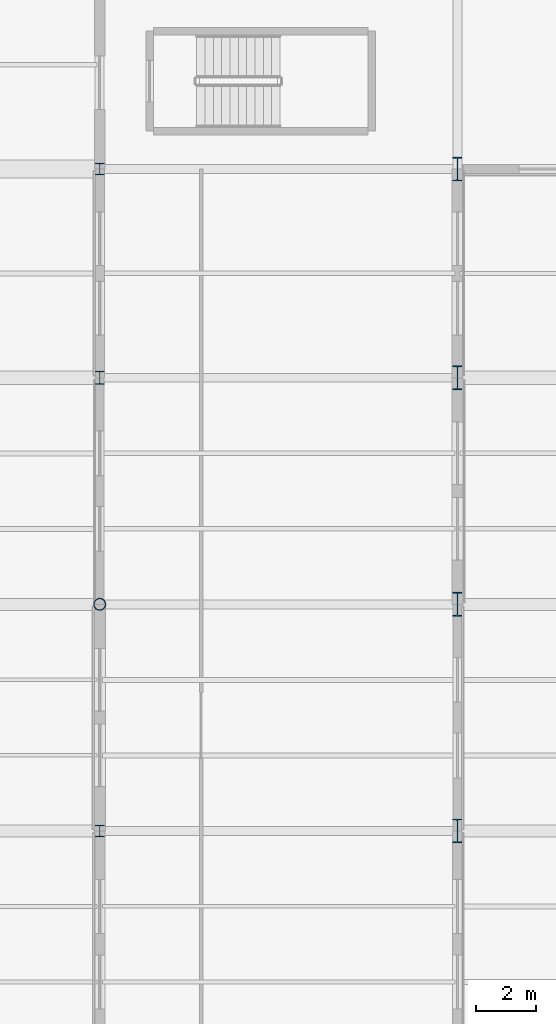
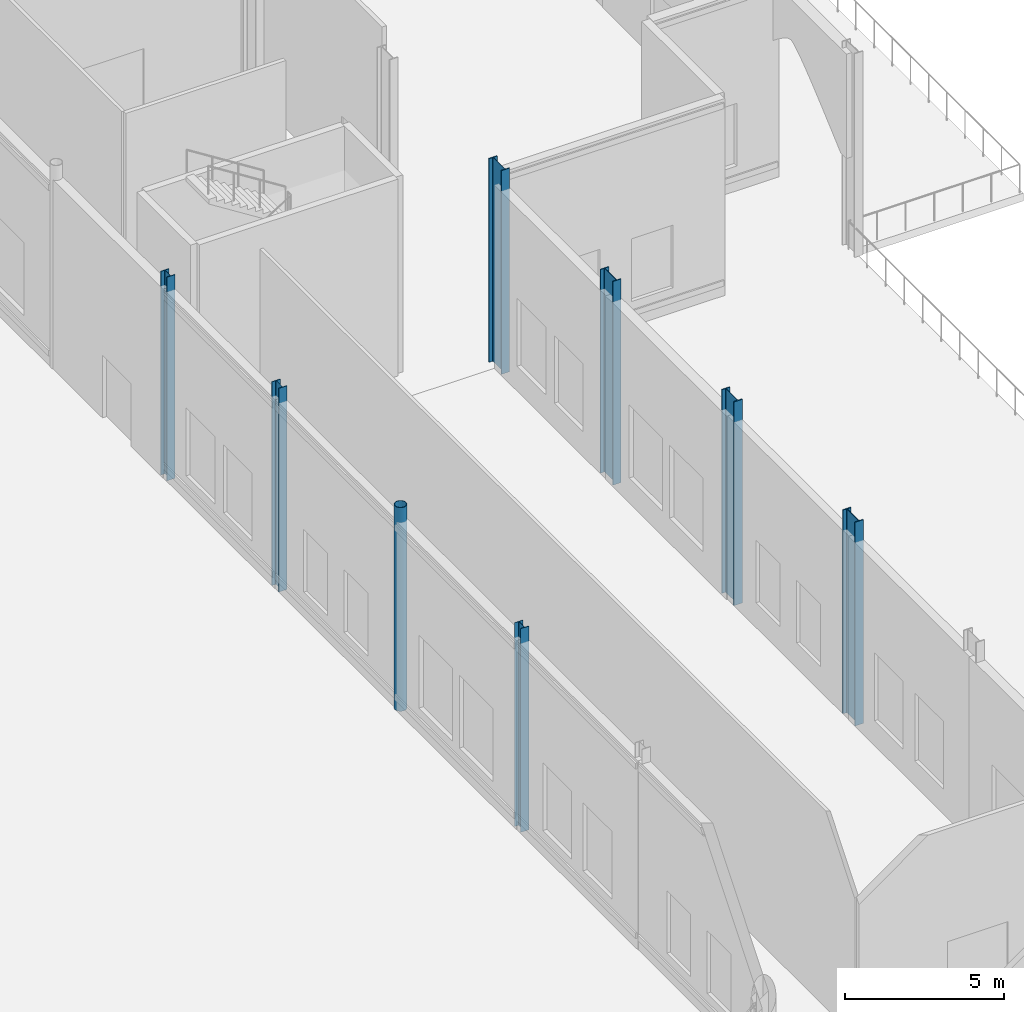
# One storey, part 17 of 176: 8 columns.
"""IFC4 building model written with IfcOpenShell, lengths in metres."""

import ifcopenshell
import ifcopenshell.guid

model = None  # the IFC model being written
_history = None  # IfcOwnerHistory: only IFC2X3 demands one
_inside = {}  # id of a spatial element -> (the spatial element, [elements in it])
_under = {}  # id of a project, library or spatial element -> (it, [spatial elements below it])
_declared = {}  # id of a project -> (the project, [libraries it declares])
_typed = {}  # id of a type object -> (the type object, [elements of that type])
_made_of = {}  # id of a material, layer set ... -> (it, [elements and type objects made of it])


def new_model(schema):
    """Start an empty IFC model of exactly this schema.

    Asked for "IFC4X3", IfcOpenShell would pick the latest addendum, in which some entities
    have other attributes; the version numbers below select the first issue.
    IFC2X3 requires an IfcOwnerHistory on every rooted entity: one is made here for all.
    """
    global model, _history
    if schema == "IFC4X3":
        model = ifcopenshell.file(schema_version=(4, 3, 0, 0))
    else:
        model = ifcopenshell.file(schema=schema)
    _inside.clear()
    _under.clear()
    _declared.clear()
    _typed.clear()
    _made_of.clear()
    _history = None
    if model.schema == "IFC2X3":
        org = make("IfcOrganization", Name="unknown")
        user = make(
            "IfcPersonAndOrganization",
            ThePerson=make("IfcPerson", FamilyName="unknown"),
            TheOrganization=org,
        )
        app = make(
            "IfcApplication",
            ApplicationDeveloper=org,
            Version="unknown",
            ApplicationFullName="unknown",
            ApplicationIdentifier="unknown",
        )
        _history = make(
            "IfcOwnerHistory",
            OwningUser=user,
            OwningApplication=app,
            ChangeAction="ADDED",
            CreationDate=0,
        )
    return model


def make(cls, **values):
    """One entity of the class cls with the attributes given. An attribute that is None is left unset."""
    return model.create_entity(
        cls, **{name: value for name, value in values.items() if value is not None}
    )


def rooted(cls, **values):
    """An entity with a GlobalId (a new one), such as an element, a storey or a relation."""
    return make(cls, GlobalId=ifcopenshell.guid.new(), OwnerHistory=_history, **values)


def si_unit(unit_type, name, prefix=None):
    """IfcSIUnit, for example si_unit("LENGTHUNIT", "METRE", prefix="MILLI")."""
    return make("IfcSIUnit", UnitType=unit_type, Prefix=prefix, Name=name)


def assignment(units):
    """IfcUnitAssignment: the units of a project."""
    return None if units is None else make("IfcUnitAssignment", Units=units)


def point(xyz):
    """IfcCartesianPoint."""
    return None if xyz is None else make("IfcCartesianPoint", Coordinates=xyz)


def direction(xyz):
    """IfcDirection."""
    return None if xyz is None else make("IfcDirection", DirectionRatios=xyz)


def frame(location, z_axis=None, x_axis=None):
    """IfcAxis2Placement3D, a coordinate frame: its origin and axes. An axis left out is left unset."""
    return make(
        "IfcAxis2Placement3D",
        Location=point(location),
        Axis=direction(z_axis),
        RefDirection=direction(x_axis),
    )


def frame_2d(location, x_axis=None):
    """IfcAxis2Placement2D, a coordinate frame in the plane: its origin and x axis."""
    return make(
        "IfcAxis2Placement2D", Location=point(location), RefDirection=direction(x_axis)
    )


def origin():
    """The frame at (0, 0, 0) with its axes left unset."""
    return frame((0.0, 0.0, 0.0))


def origin_2d():
    """The frame at (0, 0) in the plane with its x axis left unset."""
    return frame_2d((0.0, 0.0))


def place(relative_to, where):
    """IfcLocalPlacement: puts the frame where relative to a parent placement (None: the world)."""
    return make(
        "IfcLocalPlacement", PlacementRelTo=relative_to, RelativePlacement=where
    )


def context(
    kind, dimensions, precision=None, world=None, true_north=None, identifier=None
):
    """IfcGeometricRepresentationContext, for example the 3D "Model" context."""
    return make(
        "IfcGeometricRepresentationContext",
        ContextIdentifier=identifier,
        ContextType=kind,
        CoordinateSpaceDimension=dimensions,
        Precision=precision,
        WorldCoordinateSystem=world,
        TrueNorth=true_north,
    )


def subcontext(parent, identifier, kind, view, scale=None):
    """IfcGeometricRepresentationSubContext, for example "Body" below "Model"."""
    return make(
        "IfcGeometricRepresentationSubContext",
        ContextIdentifier=identifier,
        ContextType=kind,
        ParentContext=parent,
        TargetScale=scale,
        TargetView=view,
    )


def project(units=None, contexts=None):
    """IfcProject with its units and contexts."""
    return rooted(
        "IfcProject",
        Name="project",
        RepresentationContexts=contexts,
        UnitsInContext=assignment(units),
    )


def spatial(cls, under=None, at=None, **own):
    """A site, building, storey or space (cls), placed at a placement, below another one or the project."""
    s = rooted(cls, ObjectPlacement=at, **own)
    if under is not None:
        _under.setdefault(under.id(), (under, []))[1].append(s)
    return s


def profile(cls, at=None, kind="AREA", **sizes):
    """A parametric profile (cls). Its sizes go by their IFC names, for example OverallWidth=200.0."""
    return make(cls, ProfileType=kind, Position=at, **sizes)


def hollow_circle(**sizes):
    """IfcCircleHollowProfileDef."""
    return profile("IfcCircleHollowProfileDef", **sizes)


def i_section(**sizes):
    """IfcIShapeProfileDef."""
    return profile("IfcIShapeProfileDef", **sizes)


def extrude(swept, where, along, depth):
    """IfcExtrudedAreaSolid: the profile swept, set in the frame where, extruded along a direction by depth."""
    return make(
        "IfcExtrudedAreaSolid",
        SweptArea=swept,
        Position=where,
        ExtrudedDirection=direction(along),
        Depth=depth,
    )


def shape(context_of_items, identifier, shape_type, items):
    """IfcShapeRepresentation: the items that make up one representation, for example the "Body"."""
    return make(
        "IfcShapeRepresentation",
        ContextOfItems=context_of_items,
        RepresentationIdentifier=identifier,
        RepresentationType=shape_type,
        Items=items,
    )


def material(Name=None, Category=None):
    """IfcMaterial."""
    return make("IfcMaterial", Name=Name, Category=Category)


def material_profile(
    of_material, cross_section, Name=None, Category=None, Priority=None
):
    """IfcMaterialProfile: a cross section and its material."""
    return make(
        "IfcMaterialProfile",
        Name=Name,
        Material=of_material,
        Profile=cross_section,
        Priority=Priority,
        Category=Category,
    )


def profile_set(profiles, Name=None, composite=None):
    """IfcMaterialProfileSet."""
    return make(
        "IfcMaterialProfileSet",
        Name=Name,
        MaterialProfiles=profiles,
        CompositeProfile=composite,
    )


def made_of(thing, what):
    """Note that an element or type object is made of a material, layer set ...; save() writes the relation."""
    if what is not None:
        _made_of.setdefault(what.id(), (what, []))[1].append(thing)
    return thing


def type_object(cls, material=None, **own):
    """A type object (cls), such as IfcWallType, which elements share."""
    return made_of(rooted(cls, **own), material)


def element(
    cls,
    number,
    at=None,
    inside=None,
    cuts=None,
    type_object=None,
    material=None,
    context=None,
    identifier="Body",
    shape_type=None,
    held_by="IfcProductDefinitionShape",
    body=None,
    shapes=None,
    **own,
):
    """One element of the class cls, such as IfcWall. Its Tag is "e" and its number.

    at: its placement. inside: the storey or other place that contains it. cuts: it is an
    opening in that element (IfcRelVoidsElement). A single representation is given by context,
    identifier, shape_type and body (its items); several are given by shapes. held_by: the class
    of the entity that holds the representations. save() writes the other relations.
    """
    e = rooted(cls, Tag="e%d" % number, ObjectPlacement=at, **own)
    if body is not None:
        shapes = [shape(context, identifier, shape_type, body)]
    if shapes is not None:
        e.Representation = make(held_by, Representations=shapes)
    if inside is not None:
        _inside.setdefault(inside.id(), (inside, []))[1].append(e)
    if cuts is not None:
        rooted(
            "IfcRelVoidsElement", RelatingBuildingElement=cuts, RelatedOpeningElement=e
        )
    if type_object is not None:
        _typed.setdefault(type_object.id(), (type_object, []))[1].append(e)
    return made_of(e, material)


def aggregate(whole, parts):
    """IfcRelAggregates: a whole, such as a stair, and the parts it consists of."""
    return rooted("IfcRelAggregates", RelatingObject=whole, RelatedObjects=parts)


def save(model, path):
    """Write the relations noted so far, then the file.

    IfcRelAggregates (storeys below a building ...), IfcRelContainedInSpatialStructure (elements
    in a storey), IfcRelDefinesByType, IfcRelAssociatesMaterial and IfcRelDeclares: one each for
    every whole, place, type object, material and project.
    """
    for whole, parts in _under.values():
        aggregate(whole, parts)
    for where, things in _inside.values():
        rooted(
            "IfcRelContainedInSpatialStructure",
            RelatedElements=things,
            RelatingStructure=where,
        )
    for kind, things in _typed.values():
        rooted("IfcRelDefinesByType", RelatedObjects=things, RelatingType=kind)
    for what, things in _made_of.values():
        rooted("IfcRelAssociatesMaterial", RelatedObjects=things, RelatingMaterial=what)
    for by, libraries in _declared.values():
        rooted("IfcRelDeclares", RelatingContext=by, RelatedDefinitions=libraries)
    model.write(path)


model = new_model("IFC4")

# Units and contexts
model_context = context("Model", 3, precision=1e-05, world=origin(), true_north=direction((0.0, 1.0)))
body_context = subcontext(model_context, "Body", "Model", "MODEL_VIEW")
ifc_project = project(units=[si_unit("LENGTHUNIT", "METRE"), si_unit("AREAUNIT", "SQUARE_METRE"), si_unit("VOLUMEUNIT", "CUBIC_METRE"), si_unit("PLANEANGLEUNIT", "RADIAN"), si_unit("MASSUNIT", "GRAM", prefix="KILO")], contexts=[model_context])

# Site, building, storey
site_placement = place(None, origin())
site = spatial("IfcSite", under=ifc_project, at=site_placement, CompositionType="ELEMENT")
building_placement = place(site_placement, origin())
building = spatial("IfcBuilding", under=site, at=building_placement, Name="Vekula Escarpment Museum", CompositionType="ELEMENT")
storey_placement = place(building_placement, origin())
storey = spatial("IfcBuildingStorey", under=building, at=storey_placement, Name="L01", CompositionType="ELEMENT", Elevation=0.0)

# Columns
ifc_material_1 = material(Name="Steel S355", Category="steel")
ifc_material_profile_1 = material_profile(ifc_material_1, hollow_circle(Radius=0.203125, WallThickness=0.02001953125, at=origin_2d()), Name="CHS 406.4x20")
ifc_profile_set_1 = profile_set([ifc_material_profile_1], Name="Steel S355")
column_type_1 = type_object("IfcColumnType", Name="COL-S-CHS406", PredefinedType="COLUMN", material=ifc_profile_set_1)
column_1_placement = place(storey_placement, frame((167.0, 38.0, 0.0), z_axis=(0.0, 0.0, 1.0), x_axis=(1.0, 0.0, 0.0)))
element("IfcColumn", 1, at=column_1_placement, inside=storey, type_object=column_type_1, Name="Column L01 (167.0,38.0)", PredefinedType="COLUMN", context=body_context, shape_type="SweptSolid", body=[
    extrude(hollow_circle(Radius=0.203125, WallThickness=0.02001953125, at=origin_2d()), origin(), (0.0, 0.0, 1.0), 7.800048828125),
])
ifc_material_2 = material(Name="Steel S355", Category="steel")
ifc_material_profile_2 = material_profile(ifc_material_2, i_section(OverallWidth=0.300048828125, OverallDepth=0.389892578125, WebThickness=0.010986328125, FlangeThickness=0.01904296875, FilletRadius=0.027099609375, at=origin_2d()), Name="HEA 400")
ifc_profile_set_2 = profile_set([ifc_material_profile_2], Name="Steel S355")
column_type_2 = type_object("IfcColumnType", Name="COL-S-HEA400", PredefinedType="COLUMN", material=ifc_profile_set_2)
for number, where, z_axis, x_axis, name in (
    (2, (167.0, 30.39990234375, 0.0), (0.0, 0.0, 1.0), (1.0, 0.0, 0.0), "Column L01 (167.0,30.4)"),
    (3, (167.0, 52.60009765625, 0.0), (0.0, 0.0, 1.0), (1.0, 0.0, 0.0), "Column L01 (167.0,52.6)"),
):
    element("IfcColumn", number, at=place(storey_placement, frame(where, z_axis=z_axis, x_axis=x_axis)), inside=storey, type_object=column_type_2, Name=name, PredefinedType="COLUMN", context=body_context, shape_type="SweptSolid", body=[
        extrude(i_section(OverallWidth=0.300048828125, OverallDepth=0.389892578125, WebThickness=0.010986328125, FlangeThickness=0.01904296875, FilletRadius=0.027099609375, at=origin_2d()), origin(), (0.0, 0.0, 1.0), 7.800048828125),
    ])
ifc_material_3 = material(Name="Steel S355", Category="steel")
ifc_material_profile_3 = material_profile(ifc_material_3, i_section(OverallWidth=0.300048828125, OverallDepth=0.43994140625, WebThickness=0.011474609375, FlangeThickness=0.02099609375, FilletRadius=0.027099609375, at=origin_2d()), Name="HEA 450")
ifc_profile_set_3 = profile_set([ifc_material_profile_3], Name="Steel S355")
column_type_3 = type_object("IfcColumnType", Name="COL-S-HEA450", PredefinedType="COLUMN", material=ifc_profile_set_3)
column_2_placement = place(storey_placement, frame((167.0, 45.60009765625, 0.0), z_axis=(0.0, 0.0, 1.0), x_axis=(1.0, 0.0, 0.0)))
element("IfcColumn", 4, at=column_2_placement, inside=storey, type_object=column_type_3, Name="Column L01 (167.0,45.6)", PredefinedType="COLUMN", context=body_context, shape_type="SweptSolid", body=[
    extrude(i_section(OverallWidth=0.300048828125, OverallDepth=0.43994140625, WebThickness=0.011474609375, FlangeThickness=0.02099609375, FilletRadius=0.027099609375, at=origin_2d()), origin(), (0.0, 0.0, 1.0), 7.800048828125),
])
ifc_material_4 = material(Name="Steel S355", Category="steel")
ifc_material_profile_4 = material_profile(ifc_material_4, i_section(OverallWidth=0.300048828125, OverallDepth=0.800048828125, WebThickness=0.017578125, FlangeThickness=0.032958984375, FilletRadius=0.030029296875, at=origin_2d()), Name="HEB 800")
ifc_profile_set_4 = profile_set([ifc_material_profile_4], Name="Steel S355")
column_type_4 = type_object("IfcColumnType", Name="COL-S-HEB800", PredefinedType="COLUMN", material=ifc_profile_set_4)
for number, where, z_axis, x_axis, name in (
    (5, (179.0, 30.39990234375, 0.0), (0.0, 0.0, 1.0), (1.0, 0.0, 0.0), "Column L01 (179.0,30.4)"),
    (6, (179.0, 38.0, 0.0), (0.0, 0.0, 1.0), (1.0, 0.0, 0.0), "Column L01 (179.0,38.0)"),
    (7, (179.0, 45.60009765625, 0.0), (0.0, 0.0, 1.0), (1.0, 0.0, 0.0), "Column L01 (179.0,45.6)"),
    (8, (179.0, 52.60009765625, 0.0), (0.0, 0.0, 1.0), (1.0, 0.0, 0.0), "Column L01 (179.0,52.6)"),
):
    element("IfcColumn", number, at=place(storey_placement, frame(where, z_axis=z_axis, x_axis=x_axis)), inside=storey, type_object=column_type_4, Name=name, PredefinedType="COLUMN", context=body_context, shape_type="SweptSolid", body=[
        extrude(i_section(OverallWidth=0.300048828125, OverallDepth=0.800048828125, WebThickness=0.017578125, FlangeThickness=0.032958984375, FilletRadius=0.030029296875, at=origin_2d()), origin(), (0.0, 0.0, 1.0), 7.800048828125),
    ])

save(model, "model.ifc")
